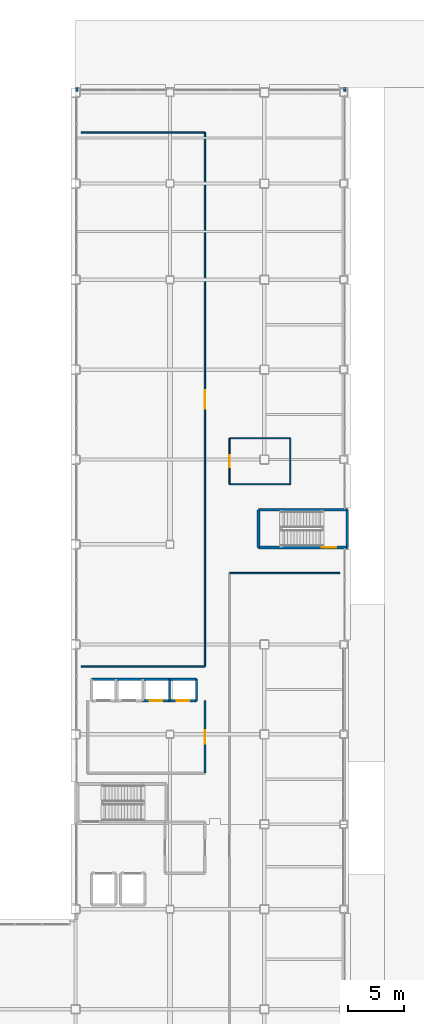
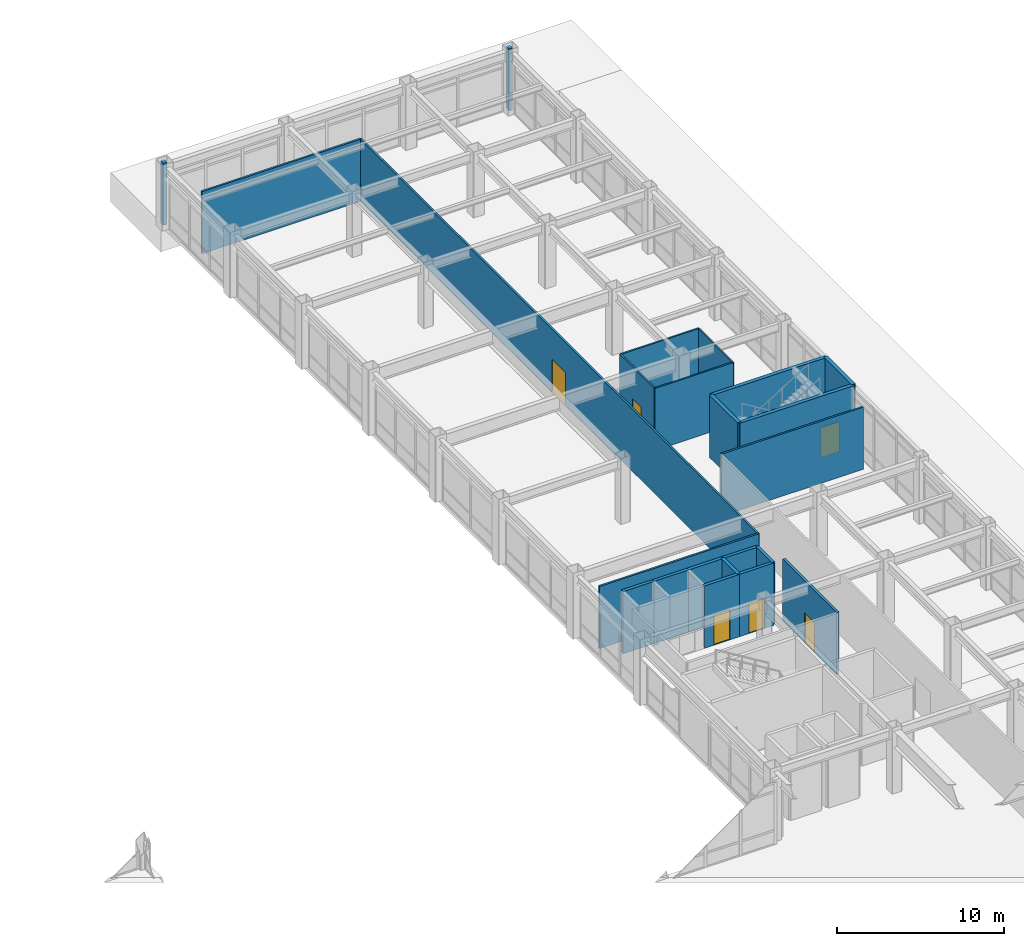
# One storey, part 148 of 172: 23 walls, 6 doors, 6 openings.
"""IFC4 building model written with IfcOpenShell, lengths in metres."""

import ifcopenshell
import ifcopenshell.guid

model = None  # the IFC model being written
_history = None  # IfcOwnerHistory: only IFC2X3 demands one
_inside = {}  # id of a spatial element -> (the spatial element, [elements in it])
_under = {}  # id of a project, library or spatial element -> (it, [spatial elements below it])
_declared = {}  # id of a project -> (the project, [libraries it declares])
_typed = {}  # id of a type object -> (the type object, [elements of that type])
_made_of = {}  # id of a material, layer set ... -> (it, [elements and type objects made of it])


def new_model(schema):
    """Start an empty IFC model of exactly this schema.

    Asked for "IFC4X3", IfcOpenShell would pick the latest addendum, in which some entities
    have other attributes; the version numbers below select the first issue.
    IFC2X3 requires an IfcOwnerHistory on every rooted entity: one is made here for all.
    """
    global model, _history
    if schema == "IFC4X3":
        model = ifcopenshell.file(schema_version=(4, 3, 0, 0))
    else:
        model = ifcopenshell.file(schema=schema)
    _inside.clear()
    _under.clear()
    _declared.clear()
    _typed.clear()
    _made_of.clear()
    _history = None
    if model.schema == "IFC2X3":
        org = make("IfcOrganization", Name="unknown")
        user = make(
            "IfcPersonAndOrganization",
            ThePerson=make("IfcPerson", FamilyName="unknown"),
            TheOrganization=org,
        )
        app = make(
            "IfcApplication",
            ApplicationDeveloper=org,
            Version="unknown",
            ApplicationFullName="unknown",
            ApplicationIdentifier="unknown",
        )
        _history = make(
            "IfcOwnerHistory",
            OwningUser=user,
            OwningApplication=app,
            ChangeAction="ADDED",
            CreationDate=0,
        )
    return model


def make(cls, **values):
    """One entity of the class cls with the attributes given. An attribute that is None is left unset."""
    return model.create_entity(
        cls, **{name: value for name, value in values.items() if value is not None}
    )


def rooted(cls, **values):
    """An entity with a GlobalId (a new one), such as an element, a storey or a relation."""
    return make(cls, GlobalId=ifcopenshell.guid.new(), OwnerHistory=_history, **values)


def si_unit(unit_type, name, prefix=None):
    """IfcSIUnit, for example si_unit("LENGTHUNIT", "METRE", prefix="MILLI")."""
    return make("IfcSIUnit", UnitType=unit_type, Prefix=prefix, Name=name)


def assignment(units):
    """IfcUnitAssignment: the units of a project."""
    return None if units is None else make("IfcUnitAssignment", Units=units)


def point(xyz):
    """IfcCartesianPoint."""
    return None if xyz is None else make("IfcCartesianPoint", Coordinates=xyz)


def direction(xyz):
    """IfcDirection."""
    return None if xyz is None else make("IfcDirection", DirectionRatios=xyz)


def frame(location, z_axis=None, x_axis=None):
    """IfcAxis2Placement3D, a coordinate frame: its origin and axes. An axis left out is left unset."""
    return make(
        "IfcAxis2Placement3D",
        Location=point(location),
        Axis=direction(z_axis),
        RefDirection=direction(x_axis),
    )


def frame_2d(location, x_axis=None):
    """IfcAxis2Placement2D, a coordinate frame in the plane: its origin and x axis."""
    return make(
        "IfcAxis2Placement2D", Location=point(location), RefDirection=direction(x_axis)
    )


def origin():
    """The frame at (0, 0, 0) with its axes left unset."""
    return frame((0.0, 0.0, 0.0))


def place(relative_to, where):
    """IfcLocalPlacement: puts the frame where relative to a parent placement (None: the world)."""
    return make(
        "IfcLocalPlacement", PlacementRelTo=relative_to, RelativePlacement=where
    )


def context(
    kind, dimensions, precision=None, world=None, true_north=None, identifier=None
):
    """IfcGeometricRepresentationContext, for example the 3D "Model" context."""
    return make(
        "IfcGeometricRepresentationContext",
        ContextIdentifier=identifier,
        ContextType=kind,
        CoordinateSpaceDimension=dimensions,
        Precision=precision,
        WorldCoordinateSystem=world,
        TrueNorth=true_north,
    )


def subcontext(parent, identifier, kind, view, scale=None):
    """IfcGeometricRepresentationSubContext, for example "Body" below "Model"."""
    return make(
        "IfcGeometricRepresentationSubContext",
        ContextIdentifier=identifier,
        ContextType=kind,
        ParentContext=parent,
        TargetScale=scale,
        TargetView=view,
    )


def project(units=None, contexts=None):
    """IfcProject with its units and contexts."""
    return rooted(
        "IfcProject",
        Name="project",
        RepresentationContexts=contexts,
        UnitsInContext=assignment(units),
    )


def spatial(cls, under=None, at=None, **own):
    """A site, building, storey or space (cls), placed at a placement, below another one or the project."""
    s = rooted(cls, ObjectPlacement=at, **own)
    if under is not None:
        _under.setdefault(under.id(), (under, []))[1].append(s)
    return s


def profile(cls, at=None, kind="AREA", **sizes):
    """A parametric profile (cls). Its sizes go by their IFC names, for example OverallWidth=200.0."""
    return make(cls, ProfileType=kind, Position=at, **sizes)


def rectangle(**sizes):
    """IfcRectangleProfileDef."""
    return profile("IfcRectangleProfileDef", **sizes)


def extrude(swept, where, along, depth):
    """IfcExtrudedAreaSolid: the profile swept, set in the frame where, extruded along a direction by depth."""
    return make(
        "IfcExtrudedAreaSolid",
        SweptArea=swept,
        Position=where,
        ExtrudedDirection=direction(along),
        Depth=depth,
    )


def shape(context_of_items, identifier, shape_type, items):
    """IfcShapeRepresentation: the items that make up one representation, for example the "Body"."""
    return make(
        "IfcShapeRepresentation",
        ContextOfItems=context_of_items,
        RepresentationIdentifier=identifier,
        RepresentationType=shape_type,
        Items=items,
    )


def material(Name=None, Category=None):
    """IfcMaterial."""
    return make("IfcMaterial", Name=Name, Category=Category)


def layer(
    of_material, thickness, ventilated=None, Name=None, Category=None, Priority=None
):
    """IfcMaterialLayer: one layer of a wall or slab, of a material (None: an air gap)."""
    return make(
        "IfcMaterialLayer",
        Material=of_material,
        LayerThickness=thickness,
        IsVentilated=ventilated,
        Name=Name,
        Category=Category,
        Priority=Priority,
    )


def layer_set(layers, Name=None):
    """IfcMaterialLayerSet."""
    return make("IfcMaterialLayerSet", MaterialLayers=layers, LayerSetName=Name)


def made_of(thing, what):
    """Note that an element or type object is made of a material, layer set ...; save() writes the relation."""
    if what is not None:
        _made_of.setdefault(what.id(), (what, []))[1].append(thing)
    return thing


def type_object(cls, material=None, **own):
    """A type object (cls), such as IfcWallType, which elements share."""
    return made_of(rooted(cls, **own), material)


def element(
    cls,
    number,
    at=None,
    inside=None,
    cuts=None,
    type_object=None,
    material=None,
    context=None,
    identifier="Body",
    shape_type=None,
    held_by="IfcProductDefinitionShape",
    body=None,
    shapes=None,
    **own,
):
    """One element of the class cls, such as IfcWall. Its Tag is "e" and its number.

    at: its placement. inside: the storey or other place that contains it. cuts: it is an
    opening in that element (IfcRelVoidsElement). A single representation is given by context,
    identifier, shape_type and body (its items); several are given by shapes. held_by: the class
    of the entity that holds the representations. save() writes the other relations.
    """
    e = rooted(cls, Tag="e%d" % number, ObjectPlacement=at, **own)
    if body is not None:
        shapes = [shape(context, identifier, shape_type, body)]
    if shapes is not None:
        e.Representation = make(held_by, Representations=shapes)
    if inside is not None:
        _inside.setdefault(inside.id(), (inside, []))[1].append(e)
    if cuts is not None:
        rooted(
            "IfcRelVoidsElement", RelatingBuildingElement=cuts, RelatedOpeningElement=e
        )
    if type_object is not None:
        _typed.setdefault(type_object.id(), (type_object, []))[1].append(e)
    return made_of(e, material)


def fill(opening, filler):
    """IfcRelFillsElement: the door or window that sits in an opening."""
    return rooted(
        "IfcRelFillsElement",
        RelatingOpeningElement=opening,
        RelatedBuildingElement=filler,
    )


def aggregate(whole, parts):
    """IfcRelAggregates: a whole, such as a stair, and the parts it consists of."""
    return rooted("IfcRelAggregates", RelatingObject=whole, RelatedObjects=parts)


def save(model, path):
    """Write the relations noted so far, then the file.

    IfcRelAggregates (storeys below a building ...), IfcRelContainedInSpatialStructure (elements
    in a storey), IfcRelDefinesByType, IfcRelAssociatesMaterial and IfcRelDeclares: one each for
    every whole, place, type object, material and project.
    """
    for whole, parts in _under.values():
        aggregate(whole, parts)
    for where, things in _inside.values():
        rooted(
            "IfcRelContainedInSpatialStructure",
            RelatedElements=things,
            RelatingStructure=where,
        )
    for kind, things in _typed.values():
        rooted("IfcRelDefinesByType", RelatedObjects=things, RelatingType=kind)
    for what, things in _made_of.values():
        rooted("IfcRelAssociatesMaterial", RelatedObjects=things, RelatingMaterial=what)
    for by, libraries in _declared.values():
        rooted("IfcRelDeclares", RelatingContext=by, RelatedDefinitions=libraries)
    model.write(path)


model = new_model("IFC4")

# Units and contexts
model_context = context("Model", 3, precision=1e-05, world=origin(), true_north=direction((0.0, 1.0)))
body_context = subcontext(model_context, "Body", "Model", "MODEL_VIEW")
ifc_project = project(units=[si_unit("LENGTHUNIT", "METRE"), si_unit("AREAUNIT", "SQUARE_METRE"), si_unit("VOLUMEUNIT", "CUBIC_METRE"), si_unit("PLANEANGLEUNIT", "RADIAN"), si_unit("MASSUNIT", "GRAM", prefix="KILO")], contexts=[model_context])

# Site, building, storey
site_placement = place(None, origin())
site = spatial("IfcSite", under=ifc_project, at=site_placement, CompositionType="ELEMENT")
building_placement = place(site_placement, origin())
building = spatial("IfcBuilding", under=site, at=building_placement, Name="Kazehara Bluff Congress Hotel", CompositionType="ELEMENT")
storey_placement = place(building_placement, frame((0.0, 0.0, 5.39990234375)))
storey = spatial("IfcBuildingStorey", under=building, at=storey_placement, Name="L01", CompositionType="ELEMENT", Elevation=5.39990234375)

# Walls
ifc_material_1 = material(Name="Concrete C40/50", Category="concrete")
ifc_layer_1 = layer(ifc_material_1, 0.25)
ifc_layer_set_1 = layer_set([ifc_layer_1], Name="Concrete C40/50")
wall_type_1 = type_object("IfcWallType", Name="TP-CW-RC", PredefinedType="SHEAR", material=ifc_layer_set_1)
for number, where, z_axis, x_axis, name in (
    (1, (167.875, 76.425048828125, 0.0), (0.0, 0.0, 1.0), (0.0, -1.0, 0.0), "L01 ST-12 core wall near"),
    (2, (159.97509765625, 73.074951171875, 0.0), (0.0, 0.0, 1.0), (0.0, 1.0, 0.0), "L01 ST-12 core wall far"),
):
    element("IfcWall", number, at=place(storey_placement, frame(where, z_axis=z_axis, x_axis=x_axis)), inside=storey, type_object=wall_type_1, Name=name, PredefinedType="SHEAR", context=body_context, shape_type="SweptSolid", body=[
        extrude(rectangle(XDim=3.35009765625, YDim=0.25, at=frame_2d((1.675048828125, 0.0))), origin(), (0.0, 0.0, 1.0), 4.550048828125),
    ])
wall_1_placement = place(storey_placement, frame((159.97509765625, 76.425048828125, 0.0), z_axis=(0.0, 0.0, 1.0), x_axis=(1.0, 0.0, 0.0)))
element("IfcWall", 3, at=wall_1_placement, inside=storey, type_object=wall_type_1, Name="L01 ST-12 core wall left", PredefinedType="SHEAR", context=body_context, shape_type="SweptSolid", body=[
    extrude(rectangle(XDim=7.89990234375, YDim=0.25, at=frame_2d((3.949951171875, 0.0))), origin(), (0.0, 0.0, 1.0), 4.550048828125),
])

# Wall, opening, door
wall_2_placement = place(storey_placement, frame((167.875, 73.074951171875, 0.0), z_axis=(0.0, 0.0, 1.0), x_axis=(-1.0, 0.0, 0.0)))
wall_2 = element("IfcWall", 4, at=wall_2_placement, inside=storey, type_object=wall_type_1, Name="L01 ST-12 core wall right", PredefinedType="SHEAR", context=body_context, shape_type="SweptSolid", body=[
    extrude(rectangle(XDim=7.89990234375, YDim=0.25, at=frame_2d((3.949951171875, 0.0))), origin(), (0.0, 0.0, 1.0), 4.550048828125),
])
opening_1_placement = place(wall_2_placement, frame((0.985107421875, 0.0, 0.0)))
opening_1 = element("IfcOpeningElement", 5, at=opening_1_placement, cuts=wall_2, Name="Opening FD-01", PredefinedType="OPENING", context=body_context, shape_type="SweptSolid", body=[
    extrude(rectangle(XDim=1.300048828125, YDim=2.199951171875, at=frame_2d((0.64990234375, 1.10009765625))), frame((0.0, 0.135009765625, 0.0), z_axis=(0.0, -1.0, 0.0), x_axis=(1.0, 0.0, 0.0)), (0.0, 0.0, 1.0), 0.27001953125),
])
ifc_material_2 = material(Name="Fire-rated painted steel leaf", Category="steel")
door_type_1 = type_object("IfcDoorType", Name="TP-FD-01", OperationType="NOTDEFINED", PredefinedType="DOOR", material=ifc_material_2)
door_1_placement = place(opening_1_placement, origin())
door_1 = element("IfcDoor", 6, at=door_1_placement, inside=storey, type_object=door_type_1, Name="L01 ST-12 fire stair door", OperationType="SINGLE_SWING_LEFT", OverallHeight=2.199951171875, OverallWidth=1.300048828125, PredefinedType="DOOR", context=body_context, shape_type="SweptSolid", body=[
    extrude(rectangle(XDim=1.300048828125, YDim=2.199951171875, at=frame_2d((0.64990234375, 1.10009765625))), frame((0.0, 0.02490234375, 0.0), z_axis=(0.0, -1.0, 0.0), x_axis=(1.0, 0.0, 0.0)), (0.0, 0.0, 1.0), 0.050048828125),
])
fill(opening_1, door_1)

# Walls
ifc_material_3 = material(Name="Precast concrete C40/50", Category="concrete")
ifc_layer_2 = layer(ifc_material_3, 0.239990234375)
ifc_layer_set_2 = layer_set([ifc_layer_2], Name="Precast concrete C40/50")
wall_type_2 = type_object("IfcWallType", Name="TP-EW-240", PredefinedType="SOLIDWALL", material=ifc_layer_set_2)
for number, where, z_axis, x_axis, name in (
    (7, (167.64990234375, 114.0, 0.0), (0.0, 0.0, 1.0), (0.0, -1.0, 0.0), "L01 V5 perimeter spandrel pier 609"),
    (8, (143.800048828125, 113.639892578125, 0.0), (0.0, 0.0, 1.0), (0.0, 1.0, 0.0), "L01 V5 perimeter spandrel pier 611"),
):
    element("IfcWall", number, at=place(storey_placement, frame(where, z_axis=z_axis, x_axis=x_axis)), inside=storey, type_object=wall_type_2, Name=name, PredefinedType="SOLIDWALL", context=body_context, shape_type="SweptSolid", body=[
        extrude(rectangle(XDim=0.360107421875, YDim=0.239990234375, at=frame_2d((0.18017578125, 0.0))), origin(), (0.0, 0.0, 1.0), 4.53515625),
    ])
ifc_material_4 = material(Name="Fire-rated gypsum board stud partition")
ifc_layer_3 = layer(ifc_material_4, 0.110107421875)
ifc_layer_set_3 = layer_set([ifc_layer_3], Name="Fire-rated gypsum board stud partition")
wall_type_3 = type_object("IfcWallType", Name="TP-PT-110", PredefinedType="PARTITIONING", material=ifc_layer_set_3)
for number, where, z_axis, x_axis, name in (
    (9, (157.39990234375, 78.699951171875, 0.0), (0.0, 0.0, 1.0), (1.0, 0.0, 0.0), "L01 partition PT-110 156"),
    (10, (157.39990234375, 82.800048828125, 0.0), (0.0, 0.0, 1.0), (1.0, 0.0, 0.0), "L01 partition PT-110 157"),
):
    element("IfcWall", number, at=place(storey_placement, frame(where, z_axis=z_axis, x_axis=x_axis)), inside=storey, type_object=wall_type_3, Name=name, PredefinedType="PARTITIONING", context=body_context, shape_type="SweptSolid", body=[
        extrude(rectangle(XDim=5.400146484375, YDim=0.110107421875, at=frame_2d((2.7001953125, 0.0))), origin(), (0.0, 0.0, 1.0), 4.53515625),
    ])

# Wall, opening, door
wall_3_placement = place(storey_placement, frame((157.39990234375, 78.699951171875, 0.0), z_axis=(0.0, 0.0, 1.0), x_axis=(0.0, 1.0, 0.0)))
wall_3 = element("IfcWall", 11, at=wall_3_placement, inside=storey, type_object=wall_type_3, Name="L01 partition PT-110 191", PredefinedType="PARTITIONING", context=body_context, shape_type="SweptSolid", body=[
    extrude(rectangle(XDim=4.10009765625, YDim=0.110107421875, at=frame_2d((2.050048828125, 0.0))), origin(), (0.0, 0.0, 1.0), 4.53515625),
])
opening_2_placement = place(wall_3_placement, frame((1.52490234375, 0.0, 0.0)))
opening_2 = element("IfcOpeningElement", 12, at=opening_2_placement, cuts=wall_3, Name="Opening ID-02", PredefinedType="OPENING", context=body_context, shape_type="SweptSolid", body=[
    extrude(rectangle(XDim=1.050048828125, YDim=2.199951171875, at=frame_2d((0.52490234375, 1.10009765625))), frame((0.0, 0.06494140625, 0.0), z_axis=(0.0, -1.0, 0.0), x_axis=(1.0, 0.0, 0.0)), (0.0, 0.0, 1.0), 0.130126953125),
])
ifc_material_5 = material(Name="Architectural oak veneer leaf")
door_type_2 = type_object("IfcDoorType", Name="TP-ID-02", OperationType="NOTDEFINED", PredefinedType="DOOR", material=ifc_material_5)
door_2_placement = place(opening_2_placement, origin())
door_2 = element("IfcDoor", 13, at=door_2_placement, inside=storey, type_object=door_type_2, Name="L01 L01 Hotel Public Accessible WC door", OperationType="SINGLE_SWING_RIGHT", OverallHeight=2.199951171875, OverallWidth=1.050048828125, PredefinedType="DOOR", context=body_context, shape_type="SweptSolid", body=[
    extrude(rectangle(XDim=1.050048828125, YDim=2.199951171875, at=frame_2d((0.52490234375, 1.10009765625))), frame((0.0, 0.02490234375, 0.0), z_axis=(0.0, -1.0, 0.0), x_axis=(1.0, 0.0, 0.0)), (0.0, 0.0, 1.0), 0.050048828125),
])
fill(opening_2, door_2)

# Walls
wall_4_placement = place(storey_placement, frame((162.800048828125, 78.699951171875, 0.0), z_axis=(0.0, 0.0, 1.0), x_axis=(0.0, 1.0, 0.0)))
element("IfcWall", 14, at=wall_4_placement, inside=storey, type_object=wall_type_3, Name="L01 partition PT-110 192", PredefinedType="PARTITIONING", context=body_context, shape_type="SweptSolid", body=[
    extrude(rectangle(XDim=4.10009765625, YDim=0.110107421875, at=frame_2d((2.050048828125, 0.0))), origin(), (0.0, 0.0, 1.0), 4.53515625),
])
ifc_material_6 = material(Name="Fire-rated gypsum board stud partition")
ifc_layer_4 = layer(ifc_material_6, 0.1298828125)
ifc_layer_set_4 = layer_set([ifc_layer_4], Name="Fire-rated gypsum board stud partition")
wall_type_4 = type_object("IfcWallType", Name="TP-PT-130", PredefinedType="PARTITIONING", material=ifc_layer_set_4)
wall_5_placement = place(storey_placement, frame((144.199951171875, 62.5, 0.0), z_axis=(0.0, 0.0, 1.0), x_axis=(1.0, 0.0, 0.0)))
element("IfcWall", 15, at=wall_5_placement, inside=storey, type_object=wall_type_4, Name="L01 partition PT-130 154", PredefinedType="PARTITIONING", context=body_context, shape_type="SweptSolid", body=[
    extrude(rectangle(XDim=11.0, YDim=0.1298828125, at=frame_2d((5.5, 0.0))), origin(), (0.0, 0.0, 1.0), 4.53515625),
])
wall_6_placement = place(storey_placement, frame((157.39990234375, 70.800048828125, 0.0), z_axis=(0.0, 0.0, 1.0), x_axis=(1.0, 0.0, 0.0)))
element("IfcWall", 16, at=wall_6_placement, inside=storey, type_object=wall_type_4, Name="L01 partition PT-130 155", PredefinedType="PARTITIONING", context=body_context, shape_type="SweptSolid", body=[
    extrude(rectangle(XDim=9.800048828125, YDim=0.1298828125, at=frame_2d((4.89990234375, 0.0))), origin(), (0.0, 0.0, 1.0), 4.53515625),
])
wall_7_placement = place(storey_placement, frame((144.199951171875, 110.0, 0.0), z_axis=(0.0, 0.0, 1.0), x_axis=(1.0, 0.0, 0.0)))
element("IfcWall", 17, at=wall_7_placement, inside=storey, type_object=wall_type_4, Name="L01 partition PT-130 161", PredefinedType="PARTITIONING", context=body_context, shape_type="SweptSolid", body=[
    extrude(rectangle(XDim=11.0, YDim=0.1298828125, at=frame_2d((5.5, 0.0))), origin(), (0.0, 0.0, 1.0), 4.53515625),
])

# Wall, opening, door
wall_8_placement = place(storey_placement, frame((155.199951171875, 62.5, 0.0), z_axis=(0.0, 0.0, 1.0), x_axis=(0.0, 1.0, 0.0)))
wall_8 = element("IfcWall", 18, at=wall_8_placement, inside=storey, type_object=wall_type_4, Name="L01 partition PT-130 189", PredefinedType="PARTITIONING", context=body_context, shape_type="SweptSolid", body=[
    extrude(rectangle(XDim=47.5, YDim=0.1298828125, at=frame_2d((23.75, 0.0))), origin(), (0.0, 0.0, 1.0), 4.53515625),
])
opening_3_placement = place(wall_8_placement, frame((22.925048828125, 0.0, 0.0)))
opening_3 = element("IfcOpeningElement", 19, at=opening_3_placement, cuts=wall_8, Name="Opening AD-04", PredefinedType="OPENING", context=body_context, shape_type="SweptSolid", body=[
    extrude(rectangle(XDim=1.64990234375, YDim=2.35009765625, at=frame_2d((0.824951171875, 1.175048828125))), frame((0.0, 0.074951171875, 0.0), z_axis=(0.0, -1.0, 0.0), x_axis=(1.0, 0.0, 0.0)), (0.0, 0.0, 1.0), 0.14990234375),
])
ifc_material_7 = material(Name="Architectural oak veneer leaf")
door_type_3 = type_object("IfcDoorType", Name="TP-AD-04", OperationType="DOUBLE_DOOR_SINGLE_SWING", PredefinedType="DOOR", material=ifc_material_7)
door_3_placement = place(opening_3_placement, origin())
door_3 = element("IfcDoor", 20, at=door_3_placement, inside=storey, type_object=door_type_3, Name="L01 Plateau Courtyard Lounge Bar door", OperationType="DOUBLE_DOOR_SINGLE_SWING", OverallHeight=2.35009765625, OverallWidth=1.64990234375, PredefinedType="DOOR", context=body_context, shape_type="SweptSolid", body=[
    extrude(rectangle(XDim=1.64990234375, YDim=2.35009765625, at=frame_2d((0.824951171875, 1.175048828125))), frame((0.0, 0.02490234375, 0.0), z_axis=(0.0, -1.0, 0.0), x_axis=(1.0, 0.0, 0.0)), (0.0, 0.0, 1.0), 0.050048828125),
])
fill(opening_3, door_3)

ifc_material_8 = material(Name="Fire-rated gypsum board stud partition")
ifc_layer_5 = layer(ifc_material_8, 0.169921875)
ifc_layer_set_5 = layer_set([ifc_layer_5], Name="Fire-rated gypsum board stud partition")
wall_type_5 = type_object("IfcWallType", Name="TP-PT-180", PredefinedType="PARTITIONING", material=ifc_layer_set_5)
wall_9_placement = place(storey_placement, frame((155.199951171875, 53.0, 0.0), z_axis=(0.0, 0.0, 1.0), x_axis=(0.0, 1.0, 0.0)))
wall_9 = element("IfcWall", 21, at=wall_9_placement, inside=storey, type_object=wall_type_5, Name="L01 partition PT-180 188", PredefinedType="PARTITIONING", context=body_context, shape_type="SweptSolid", body=[
    extrude(rectangle(XDim=6.449951171875, YDim=0.169921875, at=frame_2d((3.22509765625, 0.0))), origin(), (0.0, 0.0, 1.0), 4.53515625),
])
opening_4_placement = place(wall_9_placement, frame((2.625, 0.0, 0.0)))
opening_4 = element("IfcOpeningElement", 22, at=opening_4_placement, cuts=wall_9, Name="Opening FD-02", PredefinedType="OPENING", context=body_context, shape_type="SweptSolid", body=[
    extrude(rectangle(XDim=1.199951171875, YDim=2.199951171875, at=frame_2d((0.60009765625, 1.10009765625))), frame((0.0, 0.094970703125, 0.0), z_axis=(0.0, -1.0, 0.0), x_axis=(1.0, 0.0, 0.0)), (0.0, 0.0, 1.0), 0.18994140625),
])
ifc_material_9 = material(Name="Fire-rated painted steel leaf", Category="steel")
door_type_4 = type_object("IfcDoorType", Name="TP-FD-02", OperationType="NOTDEFINED", PredefinedType="DOOR", material=ifc_material_9)
door_4_placement = place(opening_4_placement, origin())
door_4 = element("IfcDoor", 23, at=door_4_placement, inside=storey, type_object=door_type_4, Name="L01 Hotel Passenger Lift Lobby door", OperationType="SINGLE_SWING_LEFT", OverallHeight=2.199951171875, OverallWidth=1.199951171875, PredefinedType="DOOR", context=body_context, shape_type="SweptSolid", body=[
    extrude(rectangle(XDim=1.199951171875, YDim=2.199951171875, at=frame_2d((0.60009765625, 1.10009765625))), frame((0.0, 0.02490234375, 0.0), z_axis=(0.0, -1.0, 0.0), x_axis=(1.0, 0.0, 0.0)), (0.0, 0.0, 1.0), 0.050048828125),
])
fill(opening_4, door_4)

# Walls
ifc_material_10 = material(Name="Concrete C40/50", Category="concrete")
ifc_layer_6 = layer(ifc_material_10, 0.219970703125)
ifc_layer_set_6 = layer_set([ifc_layer_6], Name="Concrete C40/50")
wall_type_6 = type_object("IfcWallType", Name="TP-SW-RC", PredefinedType="SHEAR", material=ifc_layer_set_6)
wall_10_placement = place(storey_placement, frame((145.139892578125, 61.360107421875, 0.0), z_axis=(0.0, 0.0, 1.0), x_axis=(1.0, 0.0, 0.0)))
element("IfcWall", 24, at=wall_10_placement, inside=storey, type_object=wall_type_6, Name="L01 EL-P1 lift shaft wall +Y", PredefinedType="SHEAR", context=body_context, shape_type="SweptSolid", body=[
    extrude(rectangle(XDim=2.1201171875, YDim=0.219970703125, at=frame_2d((1.06005859375, 0.0))), origin(), (0.0, 0.0, 1.0), 4.550048828125),
])
wall_11_placement = place(storey_placement, frame((147.260009765625, 61.360107421875, 0.0), z_axis=(0.0, 0.0, 1.0), x_axis=(1.0, 0.0, 0.0)))
element("IfcWall", 25, at=wall_11_placement, inside=storey, type_object=wall_type_6, Name="L01 EL-P2 lift shaft wall +Y", PredefinedType="SHEAR", context=body_context, shape_type="SweptSolid", body=[
    extrude(rectangle(XDim=2.39990234375, YDim=0.219970703125, at=frame_2d((1.199951171875, 0.0))), origin(), (0.0, 0.0, 1.0), 4.550048828125),
])
wall_12_placement = place(storey_placement, frame((149.659912109375, 61.360107421875, 0.0), z_axis=(0.0, 0.0, 1.0), x_axis=(1.0, 0.0, 0.0)))
element("IfcWall", 26, at=wall_12_placement, inside=storey, type_object=wall_type_6, Name="L01 EL-P3 lift shaft wall +Y", PredefinedType="SHEAR", context=body_context, shape_type="SweptSolid", body=[
    extrude(rectangle(XDim=2.400146484375, YDim=0.219970703125, at=frame_2d((1.2001953125, 0.0))), origin(), (0.0, 0.0, 1.0), 4.550048828125),
])

# Wall, opening, door
wall_13_placement = place(storey_placement, frame((149.659912109375, 59.43994140625, 0.0), z_axis=(0.0, 0.0, 1.0), x_axis=(1.0, 0.0, 0.0)))
wall_13 = element("IfcWall", 27, at=wall_13_placement, inside=storey, type_object=wall_type_6, Name="L01 EL-P3 lift shaft wall -Y", PredefinedType="SHEAR", context=body_context, shape_type="SweptSolid", body=[
    extrude(rectangle(XDim=2.400146484375, YDim=0.219970703125, at=frame_2d((1.2001953125, 0.0))), origin(), (0.0, 0.0, 1.0), 4.550048828125),
])
opening_5_placement = place(wall_13_placement, frame((0.64990234375, 0.0, 0.0)))
opening_5 = element("IfcOpeningElement", 28, at=opening_5_placement, cuts=wall_13, Name="Opening LD-01", PredefinedType="OPENING", context=body_context, shape_type="SweptSolid", body=[
    extrude(rectangle(XDim=1.10009765625, YDim=2.199951171875, at=frame_2d((0.550048828125, 1.10009765625))), frame((0.0, 0.119873046875, 0.0), z_axis=(0.0, -1.0, 0.0), x_axis=(1.0, 0.0, 0.0)), (0.0, 0.0, 1.0), 0.239990234375),
])
ifc_material_11 = material(Name="Fire-rated painted steel leaf", Category="steel")
door_type_5 = type_object("IfcDoorType", Name="TP-LD-01", OperationType="SLIDING_TO_LEFT", PredefinedType="DOOR", material=ifc_material_11)
door_5_placement = place(opening_5_placement, origin())
door_5 = element("IfcDoor", 29, at=door_5_placement, inside=storey, type_object=door_type_5, Name="L01 EL-P3 elevator landing door", OperationType="SLIDING_TO_LEFT", OverallHeight=2.199951171875, OverallWidth=1.10009765625, PredefinedType="DOOR", context=body_context, shape_type="SweptSolid", body=[
    extrude(rectangle(XDim=1.10009765625, YDim=2.199951171875, at=frame_2d((0.550048828125, 1.10009765625))), frame((0.0, 0.02490234375, 0.0), z_axis=(0.0, -1.0, 0.0), x_axis=(1.0, 0.0, 0.0)), (0.0, 0.0, 1.0), 0.050048828125),
])
fill(opening_5, door_5)

# Walls
wall_14_placement = place(storey_placement, frame((152.06005859375, 59.43994140625, 0.0), z_axis=(0.0, 0.0, 1.0), x_axis=(0.0, 1.0, 0.0)))
element("IfcWall", 30, at=wall_14_placement, inside=storey, type_object=wall_type_6, Name="L01 EL-P3 lift shaft wall +X", PredefinedType="SHEAR", context=body_context, shape_type="SweptSolid", body=[
    extrude(rectangle(XDim=1.920166015625, YDim=0.219970703125, at=frame_2d((0.9599609375, 0.0))), origin(), (0.0, 0.0, 1.0), 4.550048828125),
])
wall_15_placement = place(storey_placement, frame((152.06005859375, 61.360107421875, 0.0), z_axis=(0.0, 0.0, 1.0), x_axis=(1.0, 0.0, 0.0)))
element("IfcWall", 31, at=wall_15_placement, inside=storey, type_object=wall_type_6, Name="L01 EL-P4 lift shaft wall +Y", PredefinedType="SHEAR", context=body_context, shape_type="SweptSolid", body=[
    extrude(rectangle(XDim=2.39990234375, YDim=0.219970703125, at=frame_2d((1.199951171875, 0.0))), origin(), (0.0, 0.0, 1.0), 4.550048828125),
])

# Wall, opening, door
wall_16_placement = place(storey_placement, frame((152.06005859375, 59.43994140625, 0.0), z_axis=(0.0, 0.0, 1.0), x_axis=(1.0, 0.0, 0.0)))
wall_16 = element("IfcWall", 32, at=wall_16_placement, inside=storey, type_object=wall_type_6, Name="L01 EL-P4 lift shaft wall -Y", PredefinedType="SHEAR", context=body_context, shape_type="SweptSolid", body=[
    extrude(rectangle(XDim=2.39990234375, YDim=0.219970703125, at=frame_2d((1.199951171875, 0.0))), origin(), (0.0, 0.0, 1.0), 4.550048828125),
])
opening_6_placement = place(wall_16_placement, frame((0.64990234375, 0.0, 0.0)))
opening_6 = element("IfcOpeningElement", 33, at=opening_6_placement, cuts=wall_16, Name="Opening LD-01", PredefinedType="OPENING", context=body_context, shape_type="SweptSolid", body=[
    extrude(rectangle(XDim=1.10009765625, YDim=2.199951171875, at=frame_2d((0.550048828125, 1.10009765625))), frame((0.0, 0.119873046875, 0.0), z_axis=(0.0, -1.0, 0.0), x_axis=(1.0, 0.0, 0.0)), (0.0, 0.0, 1.0), 0.239990234375),
])
door_6_placement = place(opening_6_placement, origin())
door_6 = element("IfcDoor", 34, at=door_6_placement, inside=storey, type_object=door_type_5, Name="L01 EL-P4 elevator landing door", OperationType="SLIDING_TO_LEFT", OverallHeight=2.199951171875, OverallWidth=1.10009765625, PredefinedType="DOOR", context=body_context, shape_type="SweptSolid", body=[
    extrude(rectangle(XDim=1.10009765625, YDim=2.199951171875, at=frame_2d((0.550048828125, 1.10009765625))), frame((0.0, 0.02490234375, 0.0), z_axis=(0.0, -1.0, 0.0), x_axis=(1.0, 0.0, 0.0)), (0.0, 0.0, 1.0), 0.050048828125),
])
fill(opening_6, door_6)

# Wall
wall_17_placement = place(storey_placement, frame((154.4599609375, 59.43994140625, 0.0), z_axis=(0.0, 0.0, 1.0), x_axis=(0.0, 1.0, 0.0)))
element("IfcWall", 35, at=wall_17_placement, inside=storey, type_object=wall_type_6, Name="L01 EL-P4 lift shaft wall +X", PredefinedType="SHEAR", context=body_context, shape_type="SweptSolid", body=[
    extrude(rectangle(XDim=1.920166015625, YDim=0.219970703125, at=frame_2d((0.9599609375, 0.0))), origin(), (0.0, 0.0, 1.0), 4.550048828125),
])

save(model, "model.ifc")
